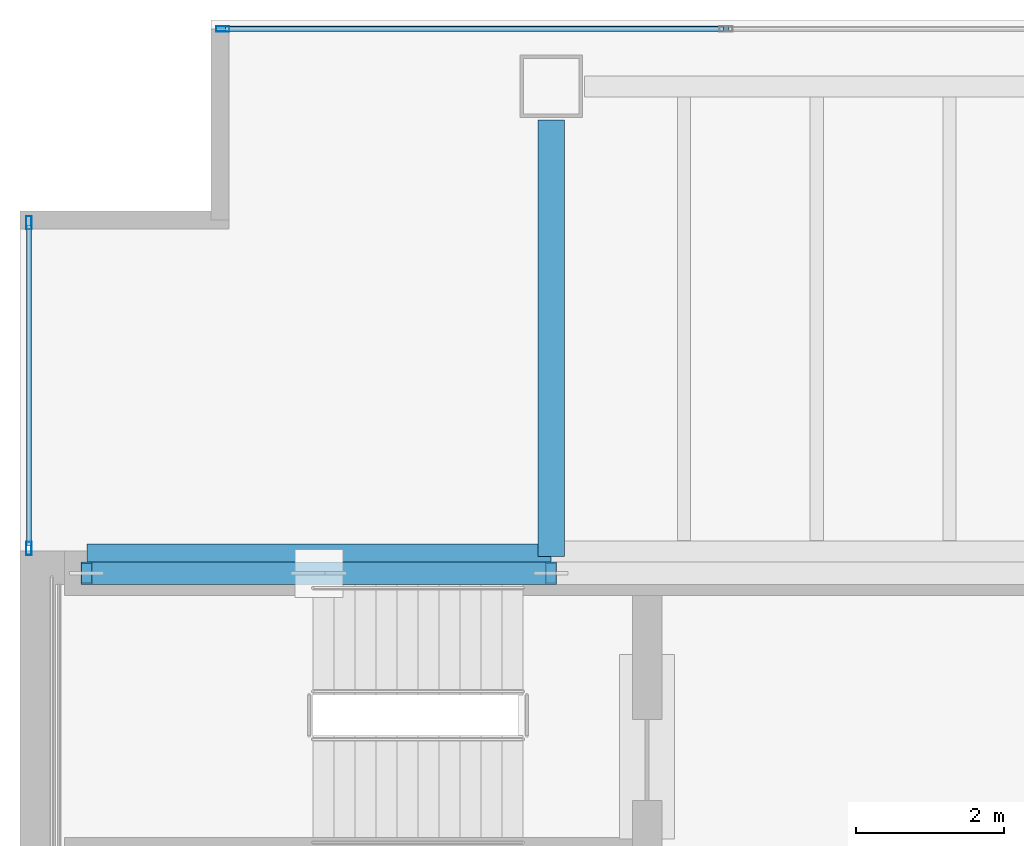
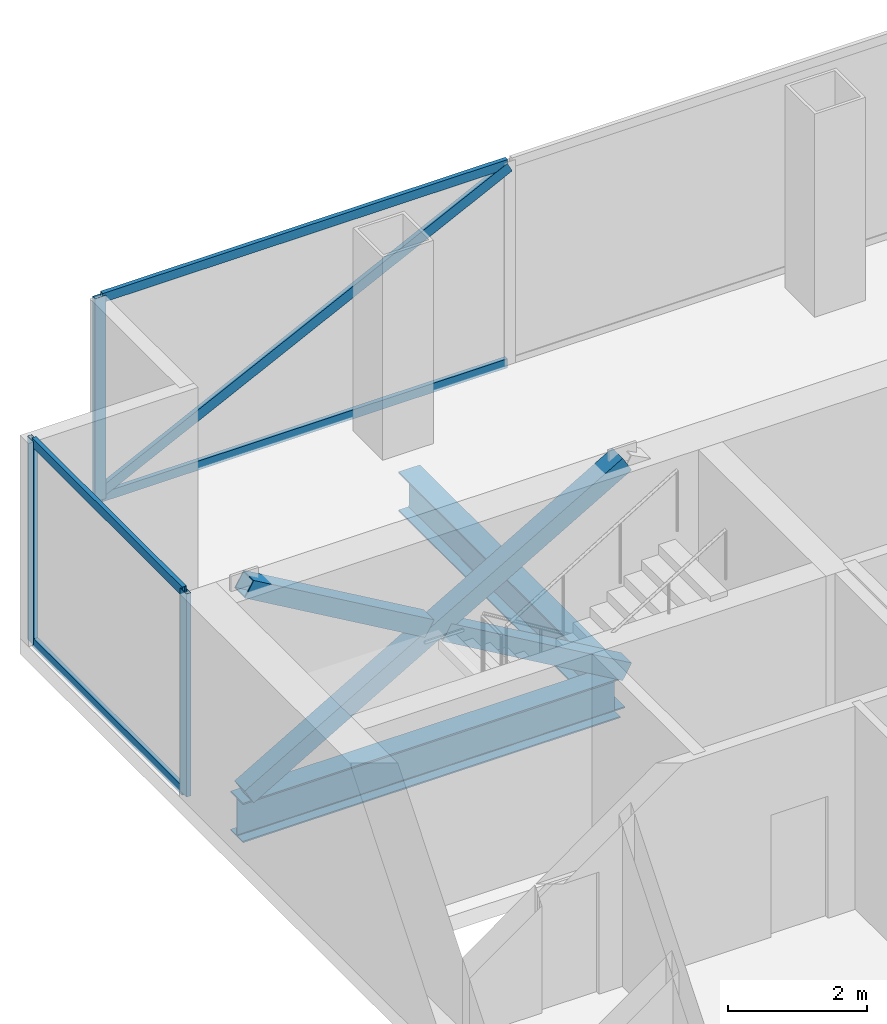
# One storey, part 16 of 23: 11 members, 2 beams, 2 elements without a shape of their own.
"""IFC4 building model written with IfcOpenShell, lengths in metres."""

import ifcopenshell
import ifcopenshell.guid

model = None  # the IFC model being written
_history = None  # IfcOwnerHistory: only IFC2X3 demands one
_inside = {}  # id of a spatial element -> (the spatial element, [elements in it])
_under = {}  # id of a project, library or spatial element -> (it, [spatial elements below it])
_declared = {}  # id of a project -> (the project, [libraries it declares])
_typed = {}  # id of a type object -> (the type object, [elements of that type])
_made_of = {}  # id of a material, layer set ... -> (it, [elements and type objects made of it])


def new_model(schema):
    """Start an empty IFC model of exactly this schema.

    Asked for "IFC4X3", IfcOpenShell would pick the latest addendum, in which some entities
    have other attributes; the version numbers below select the first issue.
    IFC2X3 requires an IfcOwnerHistory on every rooted entity: one is made here for all.
    """
    global model, _history
    if schema == "IFC4X3":
        model = ifcopenshell.file(schema_version=(4, 3, 0, 0))
    else:
        model = ifcopenshell.file(schema=schema)
    _inside.clear()
    _under.clear()
    _declared.clear()
    _typed.clear()
    _made_of.clear()
    _history = None
    if model.schema == "IFC2X3":
        org = make("IfcOrganization", Name="unknown")
        user = make(
            "IfcPersonAndOrganization",
            ThePerson=make("IfcPerson", FamilyName="unknown"),
            TheOrganization=org,
        )
        app = make(
            "IfcApplication",
            ApplicationDeveloper=org,
            Version="unknown",
            ApplicationFullName="unknown",
            ApplicationIdentifier="unknown",
        )
        _history = make(
            "IfcOwnerHistory",
            OwningUser=user,
            OwningApplication=app,
            ChangeAction="ADDED",
            CreationDate=0,
        )
    return model


def make(cls, **values):
    """One entity of the class cls with the attributes given. An attribute that is None is left unset."""
    return model.create_entity(
        cls, **{name: value for name, value in values.items() if value is not None}
    )


def rooted(cls, **values):
    """An entity with a GlobalId (a new one), such as an element, a storey or a relation."""
    return make(cls, GlobalId=ifcopenshell.guid.new(), OwnerHistory=_history, **values)


def si_unit(unit_type, name, prefix=None):
    """IfcSIUnit, for example si_unit("LENGTHUNIT", "METRE", prefix="MILLI")."""
    return make("IfcSIUnit", UnitType=unit_type, Prefix=prefix, Name=name)


def assignment(units):
    """IfcUnitAssignment: the units of a project."""
    return None if units is None else make("IfcUnitAssignment", Units=units)


def point(xyz):
    """IfcCartesianPoint."""
    return None if xyz is None else make("IfcCartesianPoint", Coordinates=xyz)


def direction(xyz):
    """IfcDirection."""
    return None if xyz is None else make("IfcDirection", DirectionRatios=xyz)


def frame(location, z_axis=None, x_axis=None):
    """IfcAxis2Placement3D, a coordinate frame: its origin and axes. An axis left out is left unset."""
    return make(
        "IfcAxis2Placement3D",
        Location=point(location),
        Axis=direction(z_axis),
        RefDirection=direction(x_axis),
    )


def frame_2d(location, x_axis=None):
    """IfcAxis2Placement2D, a coordinate frame in the plane: its origin and x axis."""
    return make(
        "IfcAxis2Placement2D", Location=point(location), RefDirection=direction(x_axis)
    )


def origin():
    """The frame at (0, 0, 0) with its axes left unset."""
    return frame((0.0, 0.0, 0.0))


def origin_2d():
    """The frame at (0, 0) in the plane with its x axis left unset."""
    return frame_2d((0.0, 0.0))


def place(relative_to, where):
    """IfcLocalPlacement: puts the frame where relative to a parent placement (None: the world)."""
    return make(
        "IfcLocalPlacement", PlacementRelTo=relative_to, RelativePlacement=where
    )


def context(
    kind, dimensions, precision=None, world=None, true_north=None, identifier=None
):
    """IfcGeometricRepresentationContext, for example the 3D "Model" context."""
    return make(
        "IfcGeometricRepresentationContext",
        ContextIdentifier=identifier,
        ContextType=kind,
        CoordinateSpaceDimension=dimensions,
        Precision=precision,
        WorldCoordinateSystem=world,
        TrueNorth=true_north,
    )


def subcontext(parent, identifier, kind, view, scale=None):
    """IfcGeometricRepresentationSubContext, for example "Body" below "Model"."""
    return make(
        "IfcGeometricRepresentationSubContext",
        ContextIdentifier=identifier,
        ContextType=kind,
        ParentContext=parent,
        TargetScale=scale,
        TargetView=view,
    )


def project(units=None, contexts=None):
    """IfcProject with its units and contexts."""
    return rooted(
        "IfcProject",
        Name="project",
        RepresentationContexts=contexts,
        UnitsInContext=assignment(units),
    )


def spatial(cls, under=None, at=None, **own):
    """A site, building, storey or space (cls), placed at a placement, below another one or the project."""
    s = rooted(cls, ObjectPlacement=at, **own)
    if under is not None:
        _under.setdefault(under.id(), (under, []))[1].append(s)
    return s


def profile(cls, at=None, kind="AREA", **sizes):
    """A parametric profile (cls). Its sizes go by their IFC names, for example OverallWidth=200.0."""
    return make(cls, ProfileType=kind, Position=at, **sizes)


def hollow_rectangle(**sizes):
    """IfcRectangleHollowProfileDef."""
    return profile("IfcRectangleHollowProfileDef", **sizes)


def i_section(**sizes):
    """IfcIShapeProfileDef."""
    return profile("IfcIShapeProfileDef", **sizes)


def extrude(swept, where, along, depth):
    """IfcExtrudedAreaSolid: the profile swept, set in the frame where, extruded along a direction by depth."""
    return make(
        "IfcExtrudedAreaSolid",
        SweptArea=swept,
        Position=where,
        ExtrudedDirection=direction(along),
        Depth=depth,
    )


def shape(context_of_items, identifier, shape_type, items):
    """IfcShapeRepresentation: the items that make up one representation, for example the "Body"."""
    return make(
        "IfcShapeRepresentation",
        ContextOfItems=context_of_items,
        RepresentationIdentifier=identifier,
        RepresentationType=shape_type,
        Items=items,
    )


def material(Name=None, Category=None):
    """IfcMaterial."""
    return make("IfcMaterial", Name=Name, Category=Category)


def material_profile(
    of_material, cross_section, Name=None, Category=None, Priority=None
):
    """IfcMaterialProfile: a cross section and its material."""
    return make(
        "IfcMaterialProfile",
        Name=Name,
        Material=of_material,
        Profile=cross_section,
        Priority=Priority,
        Category=Category,
    )


def profile_set(profiles, Name=None, composite=None):
    """IfcMaterialProfileSet."""
    return make(
        "IfcMaterialProfileSet",
        Name=Name,
        MaterialProfiles=profiles,
        CompositeProfile=composite,
    )


def made_of(thing, what):
    """Note that an element or type object is made of a material, layer set ...; save() writes the relation."""
    if what is not None:
        _made_of.setdefault(what.id(), (what, []))[1].append(thing)
    return thing


def type_object(cls, material=None, **own):
    """A type object (cls), such as IfcWallType, which elements share."""
    return made_of(rooted(cls, **own), material)


def element(
    cls,
    number,
    at=None,
    inside=None,
    cuts=None,
    type_object=None,
    material=None,
    context=None,
    identifier="Body",
    shape_type=None,
    held_by="IfcProductDefinitionShape",
    body=None,
    shapes=None,
    **own,
):
    """One element of the class cls, such as IfcWall. Its Tag is "e" and its number.

    at: its placement. inside: the storey or other place that contains it. cuts: it is an
    opening in that element (IfcRelVoidsElement). A single representation is given by context,
    identifier, shape_type and body (its items); several are given by shapes. held_by: the class
    of the entity that holds the representations. save() writes the other relations.
    """
    e = rooted(cls, Tag="e%d" % number, ObjectPlacement=at, **own)
    if body is not None:
        shapes = [shape(context, identifier, shape_type, body)]
    if shapes is not None:
        e.Representation = make(held_by, Representations=shapes)
    if inside is not None:
        _inside.setdefault(inside.id(), (inside, []))[1].append(e)
    if cuts is not None:
        rooted(
            "IfcRelVoidsElement", RelatingBuildingElement=cuts, RelatedOpeningElement=e
        )
    if type_object is not None:
        _typed.setdefault(type_object.id(), (type_object, []))[1].append(e)
    return made_of(e, material)


def aggregate(whole, parts):
    """IfcRelAggregates: a whole, such as a stair, and the parts it consists of."""
    return rooted("IfcRelAggregates", RelatingObject=whole, RelatedObjects=parts)


def save(model, path):
    """Write the relations noted so far, then the file.

    IfcRelAggregates (storeys below a building ...), IfcRelContainedInSpatialStructure (elements
    in a storey), IfcRelDefinesByType, IfcRelAssociatesMaterial and IfcRelDeclares: one each for
    every whole, place, type object, material and project.
    """
    for whole, parts in _under.values():
        aggregate(whole, parts)
    for where, things in _inside.values():
        rooted(
            "IfcRelContainedInSpatialStructure",
            RelatedElements=things,
            RelatingStructure=where,
        )
    for kind, things in _typed.values():
        rooted("IfcRelDefinesByType", RelatedObjects=things, RelatingType=kind)
    for what, things in _made_of.values():
        rooted("IfcRelAssociatesMaterial", RelatedObjects=things, RelatingMaterial=what)
    for by, libraries in _declared.values():
        rooted("IfcRelDeclares", RelatingContext=by, RelatedDefinitions=libraries)
    model.write(path)


model = new_model("IFC4")

# Units and contexts
model_context = context("Model", 3, precision=1e-05, world=origin(), true_north=direction((0.0, 1.0)))
body_context = subcontext(model_context, "Body", "Model", "MODEL_VIEW")
ifc_project = project(units=[si_unit("LENGTHUNIT", "METRE"), si_unit("AREAUNIT", "SQUARE_METRE"), si_unit("VOLUMEUNIT", "CUBIC_METRE"), si_unit("PLANEANGLEUNIT", "RADIAN"), si_unit("MASSUNIT", "GRAM", prefix="KILO")], contexts=[model_context])

# Site, building, storey
site_placement = place(None, origin())
site = spatial("IfcSite", under=ifc_project, at=site_placement, CompositionType="ELEMENT")
building_placement = place(site_placement, origin())
building = spatial("IfcBuilding", under=site, at=building_placement, Name="Cobrela Telecom Tower", CompositionType="ELEMENT")
storey_placement = place(building_placement, frame((0.0, 0.0, 148.39990234375)))
storey = spatial("IfcBuildingStorey", under=building, at=storey_placement, Name="L37", CompositionType="ELEMENT", Elevation=148.39990234375)

# Beams
ifc_material_1 = material(Name="Steel ASTM A992 Grade 50", Category="steel")
ifc_material_profile_1 = material_profile(ifc_material_1, i_section(OverallWidth=0.35595703125, OverallDepth=0.696044921875, WebThickness=0.015380859375, FlangeThickness=0.024658203125, FilletRadius=0.01806640625, at=origin_2d()), Name="W27X146")
ifc_profile_set_1 = profile_set([ifc_material_profile_1], Name="Steel ASTM A992 Grade 50")
beam_type = type_object("IfcBeamType", Name="BM-GIRD-05", PredefinedType="USERDEFINED", material=ifc_profile_set_1)
beam_1_placement = place(storey_placement, frame((0.905029296875, 35.919921875, -0.617919921875), z_axis=(1.0, 0.0, 0.0), x_axis=(0.0, 1.0, 0.0)))
element("IfcBeam", 1, at=beam_1_placement, inside=storey, type_object=beam_type, Name="L37 Primary Girder X25", ObjectType="GIRDER", PredefinedType="USERDEFINED", context=body_context, shape_type="SweptSolid", body=[
    extrude(i_section(OverallWidth=0.35595703125, OverallDepth=0.696044921875, WebThickness=0.015380859375, FlangeThickness=0.024658203125, FilletRadius=0.01806640625, at=origin_2d()), origin(), (0.0, 0.0, 1.0), 6.2900390625),
])
beam_2_placement = place(storey_placement, frame((7.199951171875, 35.925048828125, -0.617919921875), z_axis=(0.0, 1.0, 0.0), x_axis=(-1.0, 0.0, 0.0)))
element("IfcBeam", 2, at=beam_2_placement, inside=storey, type_object=beam_type, Name="L37 Primary Girder Y32", ObjectType="GIRDER", PredefinedType="USERDEFINED", context=body_context, shape_type="SweptSolid", body=[
    extrude(i_section(OverallWidth=0.35595703125, OverallDepth=0.696044921875, WebThickness=0.015380859375, FlangeThickness=0.024658203125, FilletRadius=0.01806640625, at=origin_2d()), origin(), (0.0, 0.0, 1.0), 5.919921875),
])

# Curtain wall, members
ifc_material_2 = material(Name="Anodized Bronze Aluminium 6063-T6", Category="aluminium")
curtain_wall_type = type_object("IfcCurtainWallType", Name="CW-SYS-TEL", PredefinedType="USERDEFINED", material=ifc_material_2)
curtain_wall_1_placement = place(storey_placement, origin())
curtain_wall_1 = element("IfcCurtainWall", 3, at=curtain_wall_1_placement, inside=storey, type_object=curtain_wall_type, Name="L37 Unitised Bronze Curtain Wall 04", ObjectType="UNITISED CURTAIN WALL", PredefinedType="USERDEFINED")
ifc_material_profile_2 = material_profile(ifc_material_2, hollow_rectangle(XDim=0.074951171875, YDim=0.179931640625, WallThickness=0.00390625, at=origin_2d()), Name="ALU 75x180x4")
ifc_profile_set_2 = profile_set([ifc_material_profile_2], Name="Anodized Bronze Aluminium 6063-T6")
member_type_1 = type_object("IfcMemberType", Name="CW-SYS-TEL-MUL", PredefinedType="MULLION", material=ifc_profile_set_2)
member_1_placement = place(storey_placement, frame((0.1201171875, 36.03759765625, 0.0), z_axis=(0.0, 0.0, 1.0), x_axis=(-1.0, 0.0, 0.0)))
member_1 = element("IfcMember", 4, at=member_1_placement, type_object=member_type_1, Name="CW-TEL mullion 1", PredefinedType="MULLION", context=body_context, shape_type="SweptSolid", body=[
    extrude(hollow_rectangle(XDim=0.074951171875, YDim=0.179931640625, WallThickness=0.00390625, at=origin_2d()), origin(), (0.0, 0.0, 1.0), 3.580078125),
])
member_2_placement = place(storey_placement, frame((0.1201171875, 40.452392578125, 0.0), z_axis=(0.0, 0.0, 1.0), x_axis=(-1.0, 0.0, 0.0)))
member_2 = element("IfcMember", 5, at=member_2_placement, type_object=member_type_1, Name="CW-TEL mullion 2", PredefinedType="MULLION", context=body_context, shape_type="SweptSolid", body=[
    extrude(hollow_rectangle(XDim=0.074951171875, YDim=0.179931640625, WallThickness=0.00390625, at=origin_2d()), origin(), (0.0, 0.0, 1.0), 3.580078125),
])

curtain_wall_2_placement = place(storey_placement, origin())
curtain_wall_2 = element("IfcCurtainWall", 6, at=curtain_wall_2_placement, inside=storey, type_object=curtain_wall_type, Name="L37 Unitised Bronze Curtain Wall 07", ObjectType="UNITISED CURTAIN WALL", PredefinedType="USERDEFINED")
member_3_placement = place(storey_placement, frame((2.74755859375, 43.080078125, 0.0), z_axis=(0.0, 0.0, 1.0), x_axis=(0.0, 1.0, 0.0)))
member_3 = element("IfcMember", 7, at=member_3_placement, type_object=member_type_1, Name="CW-TEL mullion 1", PredefinedType="MULLION", context=body_context, shape_type="SweptSolid", body=[
    extrude(hollow_rectangle(XDim=0.074951171875, YDim=0.179931640625, WallThickness=0.00390625, at=origin_2d()), origin(), (0.0, 0.0, 1.0), 3.580078125),
])
member_4_placement = place(storey_placement, frame((2.7099609375, 43.080078125, 0.10009765625), z_axis=(0.897035955766, 0.0, 0.441957570434), x_axis=(0.0, 1.0, 0.0)))
member_4 = element("IfcMember", 8, at=member_4_placement, type_object=member_type_1, Name="L37 Faceted Curtain Wall Diagonal Glazing Mullion", PredefinedType="MULLION", context=body_context, shape_type="SweptSolid", body=[
    extrude(hollow_rectangle(XDim=0.074951171875, YDim=0.179931640625, WallThickness=0.00390625, at=origin_2d()), origin(), (0.0, 0.0, 1.0), 7.6474609375),
])

# Member
ifc_material_profile_3 = material_profile(ifc_material_2, hollow_rectangle(XDim=0.070068359375, YDim=0.159912109375, WallThickness=0.00390625, at=origin_2d()), Name="ALU 70x160x4")
ifc_profile_set_3 = profile_set([ifc_material_profile_3], Name="Anodized Bronze Aluminium 6063-T6")
member_type_2 = type_object("IfcMemberType", Name="CW-SYS-TEL-TRN", PredefinedType="USERDEFINED", material=ifc_profile_set_3)
member_5_placement = place(storey_placement, frame((0.1201171875, 36.074951171875, 0.03515625), z_axis=(0.0, 1.0, 0.0), x_axis=(-1.0, 0.0, 0.0)))
member_5 = element("IfcMember", 9, at=member_5_placement, type_object=member_type_2, Name="CW-TEL transom 1.1", ObjectType="TRANSOM", PredefinedType="USERDEFINED", context=body_context, shape_type="SweptSolid", body=[
    extrude(hollow_rectangle(XDim=0.070068359375, YDim=0.159912109375, WallThickness=0.00390625, at=origin_2d()), origin(), (0.0, 0.0, 1.0), 4.340087890625),
])

member_6_placement = place(storey_placement, frame((0.1201171875, 36.074951171875, 3.545166015625), z_axis=(0.0, 1.0, 0.0), x_axis=(-1.0, 0.0, 0.0)))
member_6 = element("IfcMember", 10, at=member_6_placement, type_object=member_type_2, Name="CW-TEL transom 1.2", ObjectType="TRANSOM", PredefinedType="USERDEFINED", context=body_context, shape_type="SweptSolid", body=[
    extrude(hollow_rectangle(XDim=0.070068359375, YDim=0.159912109375, WallThickness=0.00390625, at=origin_2d()), origin(), (0.0, 0.0, 1.0), 4.340087890625),
])

aggregate(curtain_wall_1, [member_1, member_2, member_5, member_6])

member_7_placement = place(storey_placement, frame((2.784912109375, 43.080078125, 0.03515625), z_axis=(1.0, 0.0, 0.0), x_axis=(0.0, 1.0, 0.0)))
member_7 = element("IfcMember", 11, at=member_7_placement, type_object=member_type_2, Name="CW-TEL transom 1.1", ObjectType="TRANSOM", PredefinedType="USERDEFINED", context=body_context, shape_type="SweptSolid", body=[
    extrude(hollow_rectangle(XDim=0.070068359375, YDim=0.159912109375, WallThickness=0.00390625, at=origin_2d()), origin(), (0.0, 0.0, 1.0), 6.74755859375),
])

member_8_placement = place(storey_placement, frame((2.784912109375, 43.080078125, 3.545166015625), z_axis=(1.0, 0.0, 0.0), x_axis=(0.0, 1.0, 0.0)))
member_8 = element("IfcMember", 12, at=member_8_placement, type_object=member_type_2, Name="CW-TEL transom 1.2", ObjectType="TRANSOM", PredefinedType="USERDEFINED", context=body_context, shape_type="SweptSolid", body=[
    extrude(hollow_rectangle(XDim=0.070068359375, YDim=0.159912109375, WallThickness=0.00390625, at=origin_2d()), origin(), (0.0, 0.0, 1.0), 6.74755859375),
])

aggregate(curtain_wall_2, [member_3, member_7, member_8, member_4])

# Members
ifc_material_3 = material(Name="Steel ASTM A572 Grade 50", Category="steel")
ifc_material_profile_4 = material_profile(ifc_material_3, hollow_rectangle(XDim=0.300048828125, YDim=0.300048828125, WallThickness=0.01611328125, at=origin_2d()), Name="HSS 300x300x16")
ifc_profile_set_4 = profile_set([ifc_material_profile_4], Name="Steel ASTM A572 Grade 50")
member_type_3 = type_object("IfcMemberType", Name="MBR-EXO-03", PredefinedType="BRACE", material=ifc_profile_set_4)
member_9_placement = place(storey_placement, frame((0.89990234375, 35.699951171875, -0.039794921875), z_axis=(0.864680500519, 0.0, 0.502322239228), x_axis=(0.0, 1.0, 0.0)))
element("IfcMember", 13, at=member_9_placement, inside=storey, type_object=member_type_3, Name="L37 Core Flange Steel X-Brace Continuous A", PredefinedType="BRACE", context=body_context, shape_type="SweptSolid", body=[
    extrude(hollow_rectangle(XDim=0.300048828125, YDim=0.300048828125, WallThickness=0.01611328125, at=origin_2d()), origin(), (0.0, 0.0, 1.0), 7.285888671875),
])
member_10_placement = place(storey_placement, frame((7.199951171875, 35.699951171875, -0.039794921875), z_axis=(-0.864666885148, 0.0, 0.502345675535), x_axis=(0.0, -1.0, 0.0)))
element("IfcMember", 14, at=member_10_placement, inside=storey, type_object=member_type_3, Name="L37 Core Flange Steel X-Brace Split B1", PredefinedType="BRACE", context=body_context, shape_type="SweptSolid", body=[
    extrude(hollow_rectangle(XDim=0.300048828125, YDim=0.300048828125, WallThickness=0.01611328125, at=origin_2d()), origin(), (0.0, 0.0, 1.0), 3.474853515625),
])
member_11_placement = place(storey_placement, frame((3.90478515625, 35.699951171875, 1.87451171875), z_axis=(-0.864684613256, 0.0, 0.502315159634), x_axis=(0.0, -1.0, 0.0)))
element("IfcMember", 15, at=member_11_placement, inside=storey, type_object=member_type_3, Name="L37 Core Flange Steel X-Brace Split B2", PredefinedType="BRACE", context=body_context, shape_type="SweptSolid", body=[
    extrude(hollow_rectangle(XDim=0.300048828125, YDim=0.300048828125, WallThickness=0.01611328125, at=origin_2d()), origin(), (0.0, 0.0, 1.0), 3.47509765625),
])

save(model, "model.ifc")
